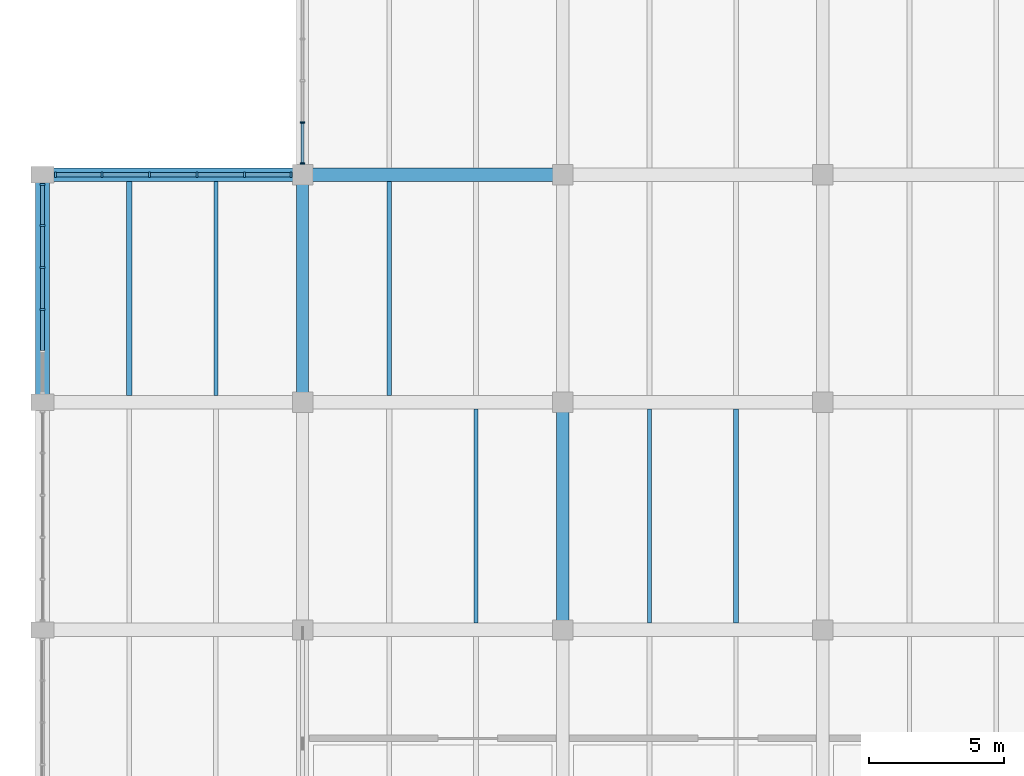
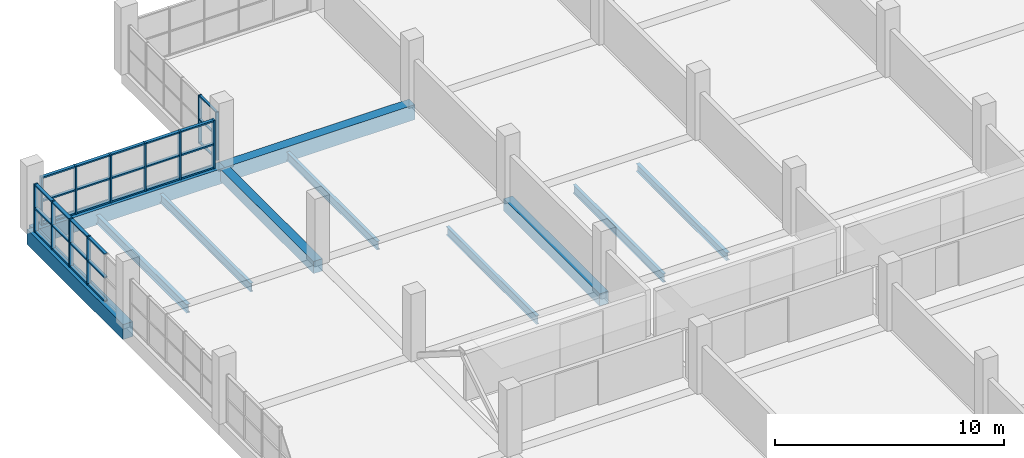
# One storey, part 39 of 147: 42 members, 11 beams, 3 elements without a shape of their own.
"""IFC4 building model written with IfcOpenShell, lengths in metres."""

from ifc_helpers import new_model, si_unit, direction, frame, origin, origin_2d, place, context, subcontext, project, spatial, rectangle, i_section, extrude, material, material_profile, profile_set, type_object, element, aggregate, save


model = new_model("IFC4")

# Units and contexts
model_context = context("Model", 3, precision=1e-05, world=origin(), true_north=direction((0.0, 1.0)))
body_context = subcontext(model_context, "Body", "Model", "MODEL_VIEW")
ifc_project = project(units=[si_unit("LENGTHUNIT", "METRE"), si_unit("AREAUNIT", "SQUARE_METRE"), si_unit("VOLUMEUNIT", "CUBIC_METRE"), si_unit("PLANEANGLEUNIT", "RADIAN"), si_unit("MASSUNIT", "GRAM", prefix="KILO")], contexts=[model_context])

# Site, building, storey
site_placement = place(None, origin())
site = spatial("IfcSite", under=ifc_project, at=site_placement, CompositionType="ELEMENT")
building_placement = place(site_placement, origin())
building = spatial("IfcBuilding", under=site, at=building_placement, Name="Oolite Switchyard Hospital", CompositionType="ELEMENT")
storey_placement = place(building_placement, frame((0.0, 0.0, 9.89990234375)))
storey = spatial("IfcBuildingStorey", under=building, at=storey_placement, Name="L02", CompositionType="ELEMENT", Elevation=9.89990234375)

# Beams
ifc_material_1 = material(Name="Concrete C40/50", Category="concrete")
ifc_material_profile_1 = material_profile(ifc_material_1, rectangle(XDim=0.449951171875, YDim=0.64990234375, at=origin_2d()), Name="RCB450X650")
ifc_profile_set_1 = profile_set([ifc_material_profile_1], Name="Concrete C40/50")
beam_type_1 = type_object("IfcBeamType", Name="BM-RC450X650", PredefinedType="BEAM", material=ifc_profile_set_1)
beam_1_placement = place(storey_placement, frame((9.60009765625, 117.60009765625, -0.324951171875), z_axis=(0.0, 1.0, 0.0), x_axis=(-1.0, 0.0, 0.0)))
element("IfcBeam", 1, at=beam_1_placement, inside=storey, type_object=beam_type_1, Name="L02 Y-Girder 1275", PredefinedType="BEAM", context=body_context, shape_type="SweptSolid", body=[
    extrude(rectangle(XDim=0.449951171875, YDim=0.64990234375, at=origin_2d()), origin(), (0.0, 0.0, 1.0), 8.39990234375),
])
beam_2_placement = place(storey_placement, frame((19.199951171875, 109.199951171875, -0.324951171875), z_axis=(0.0, 1.0, 0.0), x_axis=(-1.0, 0.0, 0.0)))
element("IfcBeam", 2, at=beam_2_placement, inside=storey, type_object=beam_type_1, Name="L02 Y-Girder 1290", PredefinedType="BEAM", context=body_context, shape_type="SweptSolid", body=[
    extrude(rectangle(XDim=0.449951171875, YDim=0.64990234375, at=origin_2d()), origin(), (0.0, 0.0, 1.0), 8.400146484375),
])
ifc_material_profile_2 = material_profile(ifc_material_1, rectangle(XDim=0.5, YDim=0.800048828125, at=origin_2d()), Name="RCB500X800")
ifc_profile_set_2 = profile_set([ifc_material_profile_2], Name="Concrete C40/50")
beam_type_2 = type_object("IfcBeamType", Name="BM-RC500X800", PredefinedType="BEAM", material=ifc_profile_set_2)
beam_3_placement = place(storey_placement, frame((0.0, 126.0, -0.39990234375), z_axis=(1.0, 0.0, 0.0), x_axis=(0.0, 1.0, 0.0)))
element("IfcBeam", 3, at=beam_3_placement, inside=storey, type_object=beam_type_2, Name="L02 X-Girder 1219", PredefinedType="BEAM", context=body_context, shape_type="SweptSolid", body=[
    extrude(rectangle(XDim=0.5, YDim=0.800048828125, at=origin_2d()), origin(), (0.0, 0.0, 1.0), 9.60009765625),
])
beam_4_placement = place(storey_placement, frame((9.60009765625, 126.0, -0.39990234375), z_axis=(1.0, 0.0, 0.0), x_axis=(0.0, 1.0, 0.0)))
element("IfcBeam", 4, at=beam_4_placement, inside=storey, type_object=beam_type_2, Name="L02 X-Girder 1220", PredefinedType="BEAM", context=body_context, shape_type="SweptSolid", body=[
    extrude(rectangle(XDim=0.5, YDim=0.800048828125, at=origin_2d()), origin(), (0.0, 0.0, 1.0), 9.599853515625),
])
beam_5_placement = place(storey_placement, frame((0.0, 117.60009765625, -0.39990234375), z_axis=(0.0, 1.0, 0.0), x_axis=(-1.0, 0.0, 0.0)))
element("IfcBeam", 5, at=beam_5_placement, inside=storey, type_object=beam_type_2, Name="L02 Y-Girder 1262", PredefinedType="BEAM", context=body_context, shape_type="SweptSolid", body=[
    extrude(rectangle(XDim=0.5, YDim=0.800048828125, at=origin_2d()), origin(), (0.0, 0.0, 1.0), 8.39990234375),
])
ifc_material_2 = material(Name="Steel ASTM A992 Grade 50", Category="steel")
ifc_material_profile_3 = material_profile(ifc_material_2, i_section(OverallWidth=0.179931640625, OverallDepth=0.4130859375, WebThickness=0.010009765625, FlangeThickness=0.01611328125, at=origin_2d()), Name="W16X50")
ifc_profile_set_3 = profile_set([ifc_material_profile_3], Name="Steel ASTM A992 Grade 50")
beam_type_3 = type_object("IfcBeamType", Name="BM-W16X50", PredefinedType="JOIST", material=ifc_profile_set_3)
beam_6_placement = place(storey_placement, frame((25.60009765625, 109.449951171875, -0.4658203125), z_axis=(0.0, 1.0, 0.0), x_axis=(-1.0, 0.0, 0.0)))
element("IfcBeam", 6, at=beam_6_placement, inside=storey, type_object=beam_type_3, Name="L02 Secondary Steel Joist 1587", PredefinedType="JOIST", context=body_context, shape_type="SweptSolid", body=[
    extrude(i_section(OverallWidth=0.179931640625, OverallDepth=0.4130859375, WebThickness=0.010009765625, FlangeThickness=0.01611328125, at=origin_2d()), origin(), (0.0, 0.0, 1.0), 7.900146484375),
])
ifc_material_profile_4 = material_profile(ifc_material_2, i_section(OverallWidth=0.153076171875, OverallDepth=0.455078125, WebThickness=0.008056640625, FlangeThickness=0.012939453125, at=origin_2d()), Name="W18X40")
ifc_profile_set_4 = profile_set([ifc_material_profile_4], Name="Steel ASTM A992 Grade 50")
beam_type_4 = type_object("IfcBeamType", Name="BM-W18X40", PredefinedType="JOIST", material=ifc_profile_set_4)
beam_7_placement = place(storey_placement, frame((6.39990234375, 117.85009765625, -0.48681640625), z_axis=(0.0, 1.0, 0.0), x_axis=(-1.0, 0.0, 0.0)))
element("IfcBeam", 7, at=beam_7_placement, inside=storey, type_object=beam_type_4, Name="L02 Secondary Steel Joist 1535", PredefinedType="JOIST", context=body_context, shape_type="SweptSolid", body=[
    extrude(i_section(OverallWidth=0.153076171875, OverallDepth=0.455078125, WebThickness=0.008056640625, FlangeThickness=0.012939453125, at=origin_2d()), origin(), (0.0, 0.0, 1.0), 7.89990234375),
])
beam_8_placement = place(storey_placement, frame((16.0, 109.449951171875, -0.48681640625), z_axis=(0.0, 1.0, 0.0), x_axis=(-1.0, 0.0, 0.0)))
element("IfcBeam", 8, at=beam_8_placement, inside=storey, type_object=beam_type_4, Name="L02 Secondary Steel Joist 1559", PredefinedType="JOIST", context=body_context, shape_type="SweptSolid", body=[
    extrude(i_section(OverallWidth=0.153076171875, OverallDepth=0.455078125, WebThickness=0.008056640625, FlangeThickness=0.012939453125, at=origin_2d()), origin(), (0.0, 0.0, 1.0), 7.900146484375),
])
beam_9_placement = place(storey_placement, frame((12.800048828125, 117.85009765625, -0.48681640625), z_axis=(0.0, 1.0, 0.0), x_axis=(-1.0, 0.0, 0.0)))
element("IfcBeam", 9, at=beam_9_placement, inside=storey, type_object=beam_type_4, Name="L02 Secondary Steel Joist 1560", PredefinedType="JOIST", context=body_context, shape_type="SweptSolid", body=[
    extrude(i_section(OverallWidth=0.153076171875, OverallDepth=0.455078125, WebThickness=0.008056640625, FlangeThickness=0.012939453125, at=origin_2d()), origin(), (0.0, 0.0, 1.0), 7.89990234375),
])
beam_10_placement = place(storey_placement, frame((22.39990234375, 109.449951171875, -0.48681640625), z_axis=(0.0, 1.0, 0.0), x_axis=(-1.0, 0.0, 0.0)))
element("IfcBeam", 10, at=beam_10_placement, inside=storey, type_object=beam_type_4, Name="L02 Secondary Steel Joist 1586", PredefinedType="JOIST", context=body_context, shape_type="SweptSolid", body=[
    extrude(i_section(OverallWidth=0.153076171875, OverallDepth=0.455078125, WebThickness=0.008056640625, FlangeThickness=0.012939453125, at=origin_2d()), origin(), (0.0, 0.0, 1.0), 7.900146484375),
])
ifc_material_profile_5 = material_profile(ifc_material_2, i_section(OverallWidth=0.19091796875, OverallDepth=0.4599609375, WebThickness=0.010009765625, FlangeThickness=0.01611328125, at=origin_2d()), Name="W18X55")
ifc_profile_set_5 = profile_set([ifc_material_profile_5], Name="Steel ASTM A992 Grade 50")
beam_type_5 = type_object("IfcBeamType", Name="BM-W18X55", PredefinedType="JOIST", material=ifc_profile_set_5)
beam_11_placement = place(storey_placement, frame((3.199951171875, 117.85009765625, -0.489990234375), z_axis=(0.0, 1.0, 0.0), x_axis=(-1.0, 0.0, 0.0)))
element("IfcBeam", 11, at=beam_11_placement, inside=storey, type_object=beam_type_5, Name="L02 Secondary Steel Joist 1534", PredefinedType="JOIST", context=body_context, shape_type="SweptSolid", body=[
    extrude(i_section(OverallWidth=0.19091796875, OverallDepth=0.4599609375, WebThickness=0.010009765625, FlangeThickness=0.01611328125, at=origin_2d()), origin(), (0.0, 0.0, 1.0), 7.89990234375),
])

# Curtain wall, members
ifc_material_3 = material(Name="Thermally broken aluminum frame with laminated impact glazing", Category="aluminium")
curtain_wall_type_1 = type_object("IfcCurtainWallType", Name="CW-UNIT-84X36", PredefinedType="USERDEFINED", material=ifc_material_3)
curtain_wall_1_placement = place(storey_placement, origin())
curtain_wall_1 = element("IfcCurtainWall", 12, at=curtain_wall_1_placement, inside=storey, type_object=curtain_wall_type_1, Name="L02 Unitised Curtain Wall 280", ObjectType="UNITISED", PredefinedType="USERDEFINED")
ifc_material_4 = material(Name="Aluminium 6063-T6", Category="aluminium")
ifc_material_profile_6 = material_profile(ifc_material_4, rectangle(XDim=0.159912109375, YDim=0.06005859375, at=origin_2d()), Name="CWM60X160")
ifc_profile_set_6 = profile_set([ifc_material_profile_6], Name="Aluminium 6063-T6")
member_type_1 = type_object("IfcMemberType", Name="CW-MUL-180", PredefinedType="MULLION", material=ifc_profile_set_6)
member_1_placement = place(storey_placement, frame((9.60009765625, 126.419921875, 0.0), z_axis=(0.0, 0.0, 1.0), x_axis=(-1.0, 0.0, 0.0)))
member_1 = element("IfcMember", 13, at=member_1_placement, type_object=member_type_1, Name="CW-08 mullion 1", PredefinedType="MULLION", context=body_context, shape_type="SweptSolid", body=[
    extrude(rectangle(XDim=0.159912109375, YDim=0.06005859375, at=origin_2d()), origin(), (0.0, 0.0, 1.0), 2.570068359375),
])
member_2_placement = place(storey_placement, frame((9.60009765625, 127.928955078125, 0.0), z_axis=(0.0, 0.0, 1.0), x_axis=(-1.0, 0.0, 0.0)))
member_2 = element("IfcMember", 14, at=member_2_placement, type_object=member_type_1, Name="CW-08 mullion 2", PredefinedType="MULLION", context=body_context, shape_type="SweptSolid", body=[
    extrude(rectangle(XDim=0.159912109375, YDim=0.06005859375, at=origin_2d()), origin(), (0.0, 0.0, 1.0), 2.570068359375),
])

curtain_wall_type_2 = type_object("IfcCurtainWallType", Name="CW-UNIT-96X36", PredefinedType="USERDEFINED", material=ifc_material_3)
curtain_wall_2_placement = place(storey_placement, origin())
curtain_wall_2 = element("IfcCurtainWall", 15, at=curtain_wall_2_placement, inside=storey, type_object=curtain_wall_type_2, Name="L02 Unitised Curtain Wall 267", ObjectType="UNITISED", PredefinedType="USERDEFINED")
ifc_material_profile_7 = material_profile(ifc_material_4, rectangle(XDim=0.199951171875, YDim=0.074951171875, at=origin_2d()), Name="CWM75X200")
ifc_profile_set_7 = profile_set([ifc_material_profile_7], Name="Aluminium 6063-T6")
member_type_2 = type_object("IfcMemberType", Name="CW-MUL-260", PredefinedType="MULLION", material=ifc_profile_set_7)
member_3_placement = place(storey_placement, frame((0.4775390625, 126.0, 0.0), z_axis=(0.0, 0.0, 1.0), x_axis=(0.0, 1.0, 0.0)))
member_3 = element("IfcMember", 16, at=member_3_placement, type_object=member_type_2, Name="CW-03 mullion 1", PredefinedType="MULLION", context=body_context, shape_type="SweptSolid", body=[
    extrude(rectangle(XDim=0.199951171875, YDim=0.074951171875, at=origin_2d()), origin(), (0.0, 0.0, 1.0), 2.570068359375),
])
member_4_placement = place(storey_placement, frame((2.194091796875, 126.0, 0.0), z_axis=(0.0, 0.0, 1.0), x_axis=(0.0, 1.0, 0.0)))
member_4 = element("IfcMember", 17, at=member_4_placement, type_object=member_type_2, Name="CW-03 mullion 2", PredefinedType="MULLION", context=body_context, shape_type="SweptSolid", body=[
    extrude(rectangle(XDim=0.199951171875, YDim=0.074951171875, at=origin_2d()), origin(), (0.0, 0.0, 1.0), 2.570068359375),
])
member_5_placement = place(storey_placement, frame((3.947998046875, 126.0, 0.0), z_axis=(0.0, 0.0, 1.0), x_axis=(0.0, 1.0, 0.0)))
member_5 = element("IfcMember", 18, at=member_5_placement, type_object=member_type_2, Name="CW-03 mullion 3", PredefinedType="MULLION", context=body_context, shape_type="SweptSolid", body=[
    extrude(rectangle(XDim=0.199951171875, YDim=0.074951171875, at=origin_2d()), origin(), (0.0, 0.0, 1.0), 2.570068359375),
])
member_6_placement = place(storey_placement, frame((5.701904296875, 126.0, 0.0), z_axis=(0.0, 0.0, 1.0), x_axis=(0.0, 1.0, 0.0)))
member_6 = element("IfcMember", 19, at=member_6_placement, type_object=member_type_2, Name="CW-03 mullion 4", PredefinedType="MULLION", context=body_context, shape_type="SweptSolid", body=[
    extrude(rectangle(XDim=0.199951171875, YDim=0.074951171875, at=origin_2d()), origin(), (0.0, 0.0, 1.0), 2.570068359375),
])
member_7_placement = place(storey_placement, frame((7.4560546875, 126.0, 0.0), z_axis=(0.0, 0.0, 1.0), x_axis=(0.0, 1.0, 0.0)))
member_7 = element("IfcMember", 20, at=member_7_placement, type_object=member_type_2, Name="CW-03 mullion 5", PredefinedType="MULLION", context=body_context, shape_type="SweptSolid", body=[
    extrude(rectangle(XDim=0.199951171875, YDim=0.074951171875, at=origin_2d()), origin(), (0.0, 0.0, 1.0), 2.570068359375),
])
member_8_placement = place(storey_placement, frame((9.172607421875, 126.0, 0.0), z_axis=(0.0, 0.0, 1.0), x_axis=(0.0, 1.0, 0.0)))
member_8 = element("IfcMember", 21, at=member_8_placement, type_object=member_type_2, Name="CW-03 mullion 6", PredefinedType="MULLION", context=body_context, shape_type="SweptSolid", body=[
    extrude(rectangle(XDim=0.199951171875, YDim=0.074951171875, at=origin_2d()), origin(), (0.0, 0.0, 1.0), 2.570068359375),
])

curtain_wall_3_placement = place(storey_placement, origin())
curtain_wall_3 = element("IfcCurtainWall", 22, at=curtain_wall_3_placement, inside=storey, type_object=curtain_wall_type_1, Name="L02 Unitised Curtain Wall 279", ObjectType="UNITISED", PredefinedType="USERDEFINED")
member_9_placement = place(storey_placement, frame((0.0, 121.02294921875, 0.0), z_axis=(0.0, 0.0, 1.0), x_axis=(-1.0, 0.0, 0.0)))
member_9 = element("IfcMember", 23, at=member_9_placement, type_object=member_type_2, Name="CW-08 mullion 3", PredefinedType="MULLION", context=body_context, shape_type="SweptSolid", body=[
    extrude(rectangle(XDim=0.199951171875, YDim=0.074951171875, at=origin_2d()), origin(), (0.0, 0.0, 1.0), 2.570068359375),
])
member_10_placement = place(storey_placement, frame((0.0, 122.576904296875, 0.0), z_axis=(0.0, 0.0, 1.0), x_axis=(-1.0, 0.0, 0.0)))
member_10 = element("IfcMember", 24, at=member_10_placement, type_object=member_type_2, Name="CW-08 mullion 4", PredefinedType="MULLION", context=body_context, shape_type="SweptSolid", body=[
    extrude(rectangle(XDim=0.199951171875, YDim=0.074951171875, at=origin_2d()), origin(), (0.0, 0.0, 1.0), 2.570068359375),
])
member_11_placement = place(storey_placement, frame((0.0, 124.131103515625, 0.0), z_axis=(0.0, 0.0, 1.0), x_axis=(-1.0, 0.0, 0.0)))
member_11 = element("IfcMember", 25, at=member_11_placement, type_object=member_type_2, Name="CW-08 mullion 5", PredefinedType="MULLION", context=body_context, shape_type="SweptSolid", body=[
    extrude(rectangle(XDim=0.199951171875, YDim=0.074951171875, at=origin_2d()), origin(), (0.0, 0.0, 1.0), 2.570068359375),
])
member_12_placement = place(storey_placement, frame((0.0, 125.6474609375, 0.0), z_axis=(0.0, 0.0, 1.0), x_axis=(-1.0, 0.0, 0.0)))
member_12 = element("IfcMember", 26, at=member_12_placement, type_object=member_type_2, Name="CW-08 mullion 6", PredefinedType="MULLION", context=body_context, shape_type="SweptSolid", body=[
    extrude(rectangle(XDim=0.199951171875, YDim=0.074951171875, at=origin_2d()), origin(), (0.0, 0.0, 1.0), 2.570068359375),
])

# Member
ifc_material_profile_8 = material_profile(ifc_material_4, rectangle(XDim=0.1201171875, YDim=0.06005859375, at=origin_2d()), Name="CWT60X120")
ifc_profile_set_8 = profile_set([ifc_material_profile_8], Name="Aluminium 6063-T6")
member_type_3 = type_object("IfcMemberType", Name="CW-TRN-150", PredefinedType="USERDEFINED", material=ifc_profile_set_8)
member_13_placement = place(storey_placement, frame((9.60009765625, 126.449951171875, 0.030029296875), z_axis=(0.0, 1.0, 0.0), x_axis=(-1.0, 0.0, 0.0)))
member_13 = element("IfcMember", 27, at=member_13_placement, type_object=member_type_3, Name="CW-08 transom 1.1", ObjectType="TRANSOM", PredefinedType="USERDEFINED", context=body_context, shape_type="SweptSolid", body=[
    extrude(rectangle(XDim=0.1201171875, YDim=0.06005859375, at=origin_2d()), origin(), (0.0, 0.0, 1.0), 1.448974609375),
])

member_14_placement = place(storey_placement, frame((9.60009765625, 126.449951171875, 1.28515625), z_axis=(0.0, 1.0, 0.0), x_axis=(-1.0, 0.0, 0.0)))
member_14 = element("IfcMember", 28, at=member_14_placement, type_object=member_type_3, Name="CW-08 transom 1.2", ObjectType="TRANSOM", PredefinedType="USERDEFINED", context=body_context, shape_type="SweptSolid", body=[
    extrude(rectangle(XDim=0.1201171875, YDim=0.06005859375, at=origin_2d()), origin(), (0.0, 0.0, 1.0), 1.448974609375),
])

member_15_placement = place(storey_placement, frame((9.60009765625, 126.449951171875, 2.5400390625), z_axis=(0.0, 1.0, 0.0), x_axis=(-1.0, 0.0, 0.0)))
member_15 = element("IfcMember", 29, at=member_15_placement, type_object=member_type_3, Name="CW-08 transom 1.3", ObjectType="TRANSOM", PredefinedType="USERDEFINED", context=body_context, shape_type="SweptSolid", body=[
    extrude(rectangle(XDim=0.1201171875, YDim=0.06005859375, at=origin_2d()), origin(), (0.0, 0.0, 1.0), 1.448974609375),
])

aggregate(curtain_wall_1, [member_1, member_2, member_13, member_14, member_15])

ifc_material_profile_9 = material_profile(ifc_material_4, rectangle(XDim=0.159912109375, YDim=0.074951171875, at=origin_2d()), Name="CWT75X160")
ifc_profile_set_9 = profile_set([ifc_material_profile_9], Name="Aluminium 6063-T6")
member_type_4 = type_object("IfcMemberType", Name="CW-TRN-180", PredefinedType="USERDEFINED", material=ifc_profile_set_9)
member_16_placement = place(storey_placement, frame((0.514892578125, 126.0, 0.03759765625), z_axis=(1.0, 0.0, 0.0), x_axis=(0.0, 1.0, 0.0)))
member_16 = element("IfcMember", 30, at=member_16_placement, type_object=member_type_4, Name="CW-03 transom 1.1", ObjectType="TRANSOM", PredefinedType="USERDEFINED", context=body_context, shape_type="SweptSolid", body=[
    extrude(rectangle(XDim=0.159912109375, YDim=0.074951171875, at=origin_2d()), origin(), (0.0, 0.0, 1.0), 1.6416015625),
])

member_17_placement = place(storey_placement, frame((0.514892578125, 126.0, 1.28515625), z_axis=(1.0, 0.0, 0.0), x_axis=(0.0, 1.0, 0.0)))
member_17 = element("IfcMember", 31, at=member_17_placement, type_object=member_type_4, Name="CW-03 transom 1.2", ObjectType="TRANSOM", PredefinedType="USERDEFINED", context=body_context, shape_type="SweptSolid", body=[
    extrude(rectangle(XDim=0.159912109375, YDim=0.074951171875, at=origin_2d()), origin(), (0.0, 0.0, 1.0), 1.6416015625),
])

member_18_placement = place(storey_placement, frame((0.514892578125, 126.0, 2.53271484375), z_axis=(1.0, 0.0, 0.0), x_axis=(0.0, 1.0, 0.0)))
member_18 = element("IfcMember", 32, at=member_18_placement, type_object=member_type_4, Name="CW-03 transom 1.3", ObjectType="TRANSOM", PredefinedType="USERDEFINED", context=body_context, shape_type="SweptSolid", body=[
    extrude(rectangle(XDim=0.159912109375, YDim=0.074951171875, at=origin_2d()), origin(), (0.0, 0.0, 1.0), 1.6416015625),
])

member_19_placement = place(storey_placement, frame((2.2314453125, 126.0, 0.03759765625), z_axis=(1.0, 0.0, 0.0), x_axis=(0.0, 1.0, 0.0)))
member_19 = element("IfcMember", 33, at=member_19_placement, type_object=member_type_4, Name="CW-03 transom 2.1", ObjectType="TRANSOM", PredefinedType="USERDEFINED", context=body_context, shape_type="SweptSolid", body=[
    extrude(rectangle(XDim=0.159912109375, YDim=0.074951171875, at=origin_2d()), origin(), (0.0, 0.0, 1.0), 1.678955078125),
])

member_20_placement = place(storey_placement, frame((2.2314453125, 126.0, 1.28515625), z_axis=(1.0, 0.0, 0.0), x_axis=(0.0, 1.0, 0.0)))
member_20 = element("IfcMember", 34, at=member_20_placement, type_object=member_type_4, Name="CW-03 transom 2.2", ObjectType="TRANSOM", PredefinedType="USERDEFINED", context=body_context, shape_type="SweptSolid", body=[
    extrude(rectangle(XDim=0.159912109375, YDim=0.074951171875, at=origin_2d()), origin(), (0.0, 0.0, 1.0), 1.678955078125),
])

member_21_placement = place(storey_placement, frame((2.2314453125, 126.0, 2.53271484375), z_axis=(1.0, 0.0, 0.0), x_axis=(0.0, 1.0, 0.0)))
member_21 = element("IfcMember", 35, at=member_21_placement, type_object=member_type_4, Name="CW-03 transom 2.3", ObjectType="TRANSOM", PredefinedType="USERDEFINED", context=body_context, shape_type="SweptSolid", body=[
    extrude(rectangle(XDim=0.159912109375, YDim=0.074951171875, at=origin_2d()), origin(), (0.0, 0.0, 1.0), 1.678955078125),
])

member_22_placement = place(storey_placement, frame((3.985595703125, 126.0, 0.03759765625), z_axis=(1.0, 0.0, 0.0), x_axis=(0.0, 1.0, 0.0)))
member_22 = element("IfcMember", 36, at=member_22_placement, type_object=member_type_4, Name="CW-03 transom 3.1", ObjectType="TRANSOM", PredefinedType="USERDEFINED", context=body_context, shape_type="SweptSolid", body=[
    extrude(rectangle(XDim=0.159912109375, YDim=0.074951171875, at=origin_2d()), origin(), (0.0, 0.0, 1.0), 1.678955078125),
])

member_23_placement = place(storey_placement, frame((3.985595703125, 126.0, 1.28515625), z_axis=(1.0, 0.0, 0.0), x_axis=(0.0, 1.0, 0.0)))
member_23 = element("IfcMember", 37, at=member_23_placement, type_object=member_type_4, Name="CW-03 transom 3.2", ObjectType="TRANSOM", PredefinedType="USERDEFINED", context=body_context, shape_type="SweptSolid", body=[
    extrude(rectangle(XDim=0.159912109375, YDim=0.074951171875, at=origin_2d()), origin(), (0.0, 0.0, 1.0), 1.678955078125),
])

member_24_placement = place(storey_placement, frame((3.985595703125, 126.0, 2.53271484375), z_axis=(1.0, 0.0, 0.0), x_axis=(0.0, 1.0, 0.0)))
member_24 = element("IfcMember", 38, at=member_24_placement, type_object=member_type_4, Name="CW-03 transom 3.3", ObjectType="TRANSOM", PredefinedType="USERDEFINED", context=body_context, shape_type="SweptSolid", body=[
    extrude(rectangle(XDim=0.159912109375, YDim=0.074951171875, at=origin_2d()), origin(), (0.0, 0.0, 1.0), 1.678955078125),
])

member_25_placement = place(storey_placement, frame((5.739501953125, 126.0, 0.03759765625), z_axis=(1.0, 0.0, 0.0), x_axis=(0.0, 1.0, 0.0)))
member_25 = element("IfcMember", 39, at=member_25_placement, type_object=member_type_4, Name="CW-03 transom 4.1", ObjectType="TRANSOM", PredefinedType="USERDEFINED", context=body_context, shape_type="SweptSolid", body=[
    extrude(rectangle(XDim=0.159912109375, YDim=0.074951171875, at=origin_2d()), origin(), (0.0, 0.0, 1.0), 1.678955078125),
])

member_26_placement = place(storey_placement, frame((5.739501953125, 126.0, 1.28515625), z_axis=(1.0, 0.0, 0.0), x_axis=(0.0, 1.0, 0.0)))
member_26 = element("IfcMember", 40, at=member_26_placement, type_object=member_type_4, Name="CW-03 transom 4.2", ObjectType="TRANSOM", PredefinedType="USERDEFINED", context=body_context, shape_type="SweptSolid", body=[
    extrude(rectangle(XDim=0.159912109375, YDim=0.074951171875, at=origin_2d()), origin(), (0.0, 0.0, 1.0), 1.678955078125),
])

member_27_placement = place(storey_placement, frame((5.739501953125, 126.0, 2.53271484375), z_axis=(1.0, 0.0, 0.0), x_axis=(0.0, 1.0, 0.0)))
member_27 = element("IfcMember", 41, at=member_27_placement, type_object=member_type_4, Name="CW-03 transom 4.3", ObjectType="TRANSOM", PredefinedType="USERDEFINED", context=body_context, shape_type="SweptSolid", body=[
    extrude(rectangle(XDim=0.159912109375, YDim=0.074951171875, at=origin_2d()), origin(), (0.0, 0.0, 1.0), 1.678955078125),
])

member_28_placement = place(storey_placement, frame((7.493408203125, 126.0, 0.03759765625), z_axis=(1.0, 0.0, 0.0), x_axis=(0.0, 1.0, 0.0)))
member_28 = element("IfcMember", 42, at=member_28_placement, type_object=member_type_4, Name="CW-03 transom 5.1", ObjectType="TRANSOM", PredefinedType="USERDEFINED", context=body_context, shape_type="SweptSolid", body=[
    extrude(rectangle(XDim=0.159912109375, YDim=0.074951171875, at=origin_2d()), origin(), (0.0, 0.0, 1.0), 1.6416015625),
])

member_29_placement = place(storey_placement, frame((7.493408203125, 126.0, 1.28515625), z_axis=(1.0, 0.0, 0.0), x_axis=(0.0, 1.0, 0.0)))
member_29 = element("IfcMember", 43, at=member_29_placement, type_object=member_type_4, Name="CW-03 transom 5.2", ObjectType="TRANSOM", PredefinedType="USERDEFINED", context=body_context, shape_type="SweptSolid", body=[
    extrude(rectangle(XDim=0.159912109375, YDim=0.074951171875, at=origin_2d()), origin(), (0.0, 0.0, 1.0), 1.6416015625),
])

member_30_placement = place(storey_placement, frame((7.493408203125, 126.0, 2.53271484375), z_axis=(1.0, 0.0, 0.0), x_axis=(0.0, 1.0, 0.0)))
member_30 = element("IfcMember", 44, at=member_30_placement, type_object=member_type_4, Name="CW-03 transom 5.3", ObjectType="TRANSOM", PredefinedType="USERDEFINED", context=body_context, shape_type="SweptSolid", body=[
    extrude(rectangle(XDim=0.159912109375, YDim=0.074951171875, at=origin_2d()), origin(), (0.0, 0.0, 1.0), 1.6416015625),
])

aggregate(curtain_wall_2, [member_3, member_4, member_5, member_6, member_7, member_8, member_16, member_17, member_18, member_19, member_20, member_21, member_22, member_23, member_24, member_25, member_26, member_27, member_28, member_29, member_30])

member_31_placement = place(storey_placement, frame((0.0, 119.506591796875, 0.03759765625), z_axis=(0.0, 1.0, 0.0), x_axis=(-1.0, 0.0, 0.0)))
member_31 = element("IfcMember", 45, at=member_31_placement, type_object=member_type_4, Name="CW-08 transom 2.1", ObjectType="TRANSOM", PredefinedType="USERDEFINED", context=body_context, shape_type="SweptSolid", body=[
    extrude(rectangle(XDim=0.159912109375, YDim=0.074951171875, at=origin_2d()), origin(), (0.0, 0.0, 1.0), 1.47900390625),
])

member_32_placement = place(storey_placement, frame((0.0, 119.506591796875, 1.28515625), z_axis=(0.0, 1.0, 0.0), x_axis=(-1.0, 0.0, 0.0)))
member_32 = element("IfcMember", 46, at=member_32_placement, type_object=member_type_4, Name="CW-08 transom 2.2", ObjectType="TRANSOM", PredefinedType="USERDEFINED", context=body_context, shape_type="SweptSolid", body=[
    extrude(rectangle(XDim=0.159912109375, YDim=0.074951171875, at=origin_2d()), origin(), (0.0, 0.0, 1.0), 1.47900390625),
])

member_33_placement = place(storey_placement, frame((0.0, 119.506591796875, 2.53271484375), z_axis=(0.0, 1.0, 0.0), x_axis=(-1.0, 0.0, 0.0)))
member_33 = element("IfcMember", 47, at=member_33_placement, type_object=member_type_4, Name="CW-08 transom 2.3", ObjectType="TRANSOM", PredefinedType="USERDEFINED", context=body_context, shape_type="SweptSolid", body=[
    extrude(rectangle(XDim=0.159912109375, YDim=0.074951171875, at=origin_2d()), origin(), (0.0, 0.0, 1.0), 1.47900390625),
])

member_34_placement = place(storey_placement, frame((0.0, 121.060546875, 0.03759765625), z_axis=(0.0, 1.0, 0.0), x_axis=(-1.0, 0.0, 0.0)))
member_34 = element("IfcMember", 48, at=member_34_placement, type_object=member_type_4, Name="CW-08 transom 3.1", ObjectType="TRANSOM", PredefinedType="USERDEFINED", context=body_context, shape_type="SweptSolid", body=[
    extrude(rectangle(XDim=0.159912109375, YDim=0.074951171875, at=origin_2d()), origin(), (0.0, 0.0, 1.0), 1.47900390625),
])

member_35_placement = place(storey_placement, frame((0.0, 121.060546875, 1.28515625), z_axis=(0.0, 1.0, 0.0), x_axis=(-1.0, 0.0, 0.0)))
member_35 = element("IfcMember", 49, at=member_35_placement, type_object=member_type_4, Name="CW-08 transom 3.2", ObjectType="TRANSOM", PredefinedType="USERDEFINED", context=body_context, shape_type="SweptSolid", body=[
    extrude(rectangle(XDim=0.159912109375, YDim=0.074951171875, at=origin_2d()), origin(), (0.0, 0.0, 1.0), 1.47900390625),
])

member_36_placement = place(storey_placement, frame((0.0, 121.060546875, 2.53271484375), z_axis=(0.0, 1.0, 0.0), x_axis=(-1.0, 0.0, 0.0)))
member_36 = element("IfcMember", 50, at=member_36_placement, type_object=member_type_4, Name="CW-08 transom 3.3", ObjectType="TRANSOM", PredefinedType="USERDEFINED", context=body_context, shape_type="SweptSolid", body=[
    extrude(rectangle(XDim=0.159912109375, YDim=0.074951171875, at=origin_2d()), origin(), (0.0, 0.0, 1.0), 1.47900390625),
])

member_37_placement = place(storey_placement, frame((0.0, 122.614501953125, 0.03759765625), z_axis=(0.0, 1.0, 0.0), x_axis=(-1.0, 0.0, 0.0)))
member_37 = element("IfcMember", 51, at=member_37_placement, type_object=member_type_4, Name="CW-08 transom 4.1", ObjectType="TRANSOM", PredefinedType="USERDEFINED", context=body_context, shape_type="SweptSolid", body=[
    extrude(rectangle(XDim=0.159912109375, YDim=0.074951171875, at=origin_2d()), origin(), (0.0, 0.0, 1.0), 1.47900390625),
])

member_38_placement = place(storey_placement, frame((0.0, 122.614501953125, 1.28515625), z_axis=(0.0, 1.0, 0.0), x_axis=(-1.0, 0.0, 0.0)))
member_38 = element("IfcMember", 52, at=member_38_placement, type_object=member_type_4, Name="CW-08 transom 4.2", ObjectType="TRANSOM", PredefinedType="USERDEFINED", context=body_context, shape_type="SweptSolid", body=[
    extrude(rectangle(XDim=0.159912109375, YDim=0.074951171875, at=origin_2d()), origin(), (0.0, 0.0, 1.0), 1.47900390625),
])

member_39_placement = place(storey_placement, frame((0.0, 122.614501953125, 2.53271484375), z_axis=(0.0, 1.0, 0.0), x_axis=(-1.0, 0.0, 0.0)))
member_39 = element("IfcMember", 53, at=member_39_placement, type_object=member_type_4, Name="CW-08 transom 4.3", ObjectType="TRANSOM", PredefinedType="USERDEFINED", context=body_context, shape_type="SweptSolid", body=[
    extrude(rectangle(XDim=0.159912109375, YDim=0.074951171875, at=origin_2d()), origin(), (0.0, 0.0, 1.0), 1.47900390625),
])

member_40_placement = place(storey_placement, frame((0.0, 124.16845703125, 0.03759765625), z_axis=(0.0, 1.0, 0.0), x_axis=(-1.0, 0.0, 0.0)))
member_40 = element("IfcMember", 54, at=member_40_placement, type_object=member_type_4, Name="CW-08 transom 5.1", ObjectType="TRANSOM", PredefinedType="USERDEFINED", context=body_context, shape_type="SweptSolid", body=[
    extrude(rectangle(XDim=0.159912109375, YDim=0.074951171875, at=origin_2d()), origin(), (0.0, 0.0, 1.0), 1.441650390625),
])

member_41_placement = place(storey_placement, frame((0.0, 124.16845703125, 1.28515625), z_axis=(0.0, 1.0, 0.0), x_axis=(-1.0, 0.0, 0.0)))
member_41 = element("IfcMember", 55, at=member_41_placement, type_object=member_type_4, Name="CW-08 transom 5.2", ObjectType="TRANSOM", PredefinedType="USERDEFINED", context=body_context, shape_type="SweptSolid", body=[
    extrude(rectangle(XDim=0.159912109375, YDim=0.074951171875, at=origin_2d()), origin(), (0.0, 0.0, 1.0), 1.441650390625),
])

member_42_placement = place(storey_placement, frame((0.0, 124.16845703125, 2.53271484375), z_axis=(0.0, 1.0, 0.0), x_axis=(-1.0, 0.0, 0.0)))
member_42 = element("IfcMember", 56, at=member_42_placement, type_object=member_type_4, Name="CW-08 transom 5.3", ObjectType="TRANSOM", PredefinedType="USERDEFINED", context=body_context, shape_type="SweptSolid", body=[
    extrude(rectangle(XDim=0.159912109375, YDim=0.074951171875, at=origin_2d()), origin(), (0.0, 0.0, 1.0), 1.441650390625),
])

aggregate(curtain_wall_3, [member_9, member_10, member_11, member_12, member_31, member_32, member_33, member_34, member_35, member_36, member_37, member_38, member_39, member_40, member_41, member_42])

save(model, "model.ifc")
